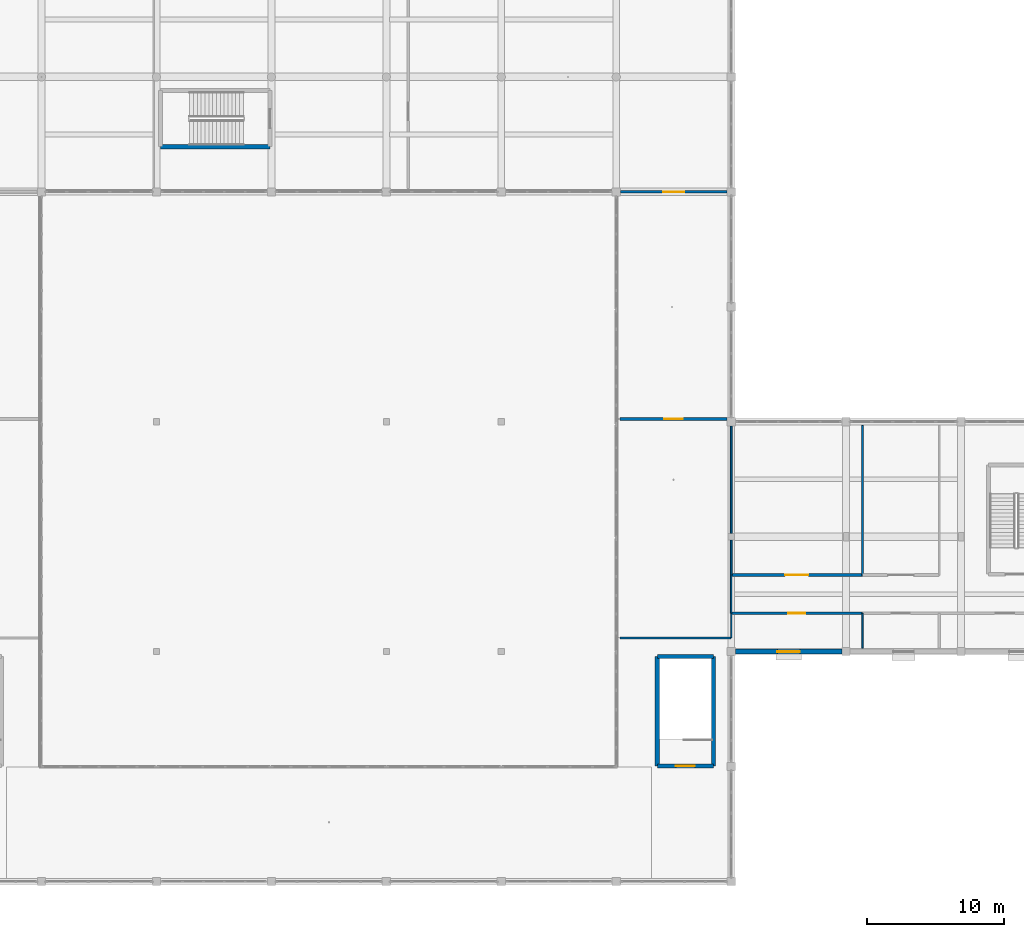
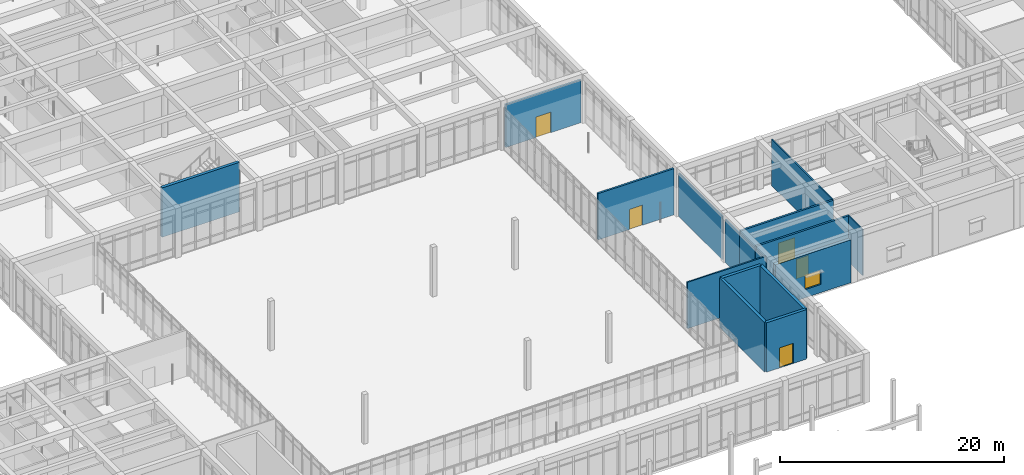
# One storey, part 78 of 157: 17 walls, 5 doors, 1 window, 6 openings.
"""IFC4 building model written with IfcOpenShell, lengths in metres."""

from ifc_helpers import new_model, si_unit, direction, frame, frame_2d, origin, place, context, subcontext, project, spatial, rectangle, extrude, material, layer, layer_set, type_object, element, fill, save


model = new_model("IFC4")

# Units and contexts
model_context = context("Model", 3, precision=1e-05, world=origin(), true_north=direction((0.0, 1.0)))
body_context = subcontext(model_context, "Body", "Model", "MODEL_VIEW")
ifc_project = project(units=[si_unit("LENGTHUNIT", "METRE"), si_unit("AREAUNIT", "SQUARE_METRE"), si_unit("VOLUMEUNIT", "CUBIC_METRE"), si_unit("PLANEANGLEUNIT", "RADIAN"), si_unit("MASSUNIT", "GRAM", prefix="KILO")], contexts=[model_context])

# Site, building, storey
site_placement = place(None, origin())
site = spatial("IfcSite", under=ifc_project, at=site_placement, CompositionType="ELEMENT")
building_placement = place(site_placement, origin())
building = spatial("IfcBuilding", under=site, at=building_placement, Name="Varncliffe General Hospital", CompositionType="ELEMENT")
storey_placement = place(building_placement, frame((0.0, 0.0, 5.39990234375)))
storey = spatial("IfcBuildingStorey", under=building, at=storey_placement, Name="L01", CompositionType="ELEMENT", Elevation=5.39990234375)

# Wall, opening, window
ifc_material_1 = material(Name="Precast concrete C40/50 with insulated cream lime-cement stucco", Category="concrete")
ifc_layer_1 = layer(ifc_material_1, 0.35009765625)
ifc_layer_set_1 = layer_set([ifc_layer_1], Name="Precast concrete C40/50 with insulated cream lime-cement stucco")
wall_type_1 = type_object("IfcWallType", Name="Exterior Insulated Stucco Wall EW37 (350mm)", PredefinedType="SOLIDWALL", material=ifc_layer_set_1)
wall_1_placement = place(storey_placement, frame((125.701904296875, 24.0, 0.0), z_axis=(0.0, 0.0, 1.0), x_axis=(-1.0, 0.0, 0.0)))
wall_1 = element("IfcWall", 1, at=wall_1_placement, inside=storey, type_object=wall_type_1, Name="L01 Exterior Stucco Wall EW37-162", PredefinedType="SOLIDWALL", context=body_context, shape_type="SweptSolid", body=[
    extrude(rectangle(XDim=7.803955078125, YDim=0.35009765625, at=frame_2d((3.90185546875, 0.0))), origin(), (0.0, 0.0, 1.0), 4.68017578125),
])
opening_1_placement = place(wall_1_placement, frame((3.076904296875, 0.0, 0.89990234375)))
opening_1 = element("IfcOpeningElement", 2, at=opening_1_placement, cuts=wall_1, Name="Opening WN20", PredefinedType="OPENING", context=body_context, shape_type="SweptSolid", body=[
    extrude(rectangle(XDim=1.64990234375, YDim=1.550048828125, at=frame_2d((0.824951171875, 0.77490234375))), frame((0.0, 0.18505859375, 0.0), z_axis=(0.0, -1.0, 0.0), x_axis=(1.0, 0.0, 0.0)), (0.0, 0.0, 1.0), 0.3701171875),
])
ifc_material_2 = material(Name="Triple low-E argon insulated vision glazing", Category="glass")
window_type = type_object("IfcWindowType", Name="Triple-Glazed Hospital Window WN20 (1650x1550)", PartitioningType="DOUBLE_PANEL_VERTICAL", PredefinedType="WINDOW", material=ifc_material_2)
window_placement = place(opening_1_placement, origin())
window = element("IfcWindow", 3, at=window_placement, inside=storey, type_object=window_type, Name="L01 Hospital Window WN20-101", OverallHeight=1.550048828125, OverallWidth=1.64990234375, PartitioningType="DOUBLE_PANEL_VERTICAL", PredefinedType="WINDOW", context=body_context, shape_type="SweptSolid", body=[
    extrude(rectangle(XDim=1.64990234375, YDim=1.550048828125, at=frame_2d((0.824951171875, 0.77490234375))), frame((0.0, 0.030029296875, 0.0), z_axis=(0.0, -1.0, 0.0), x_axis=(1.0, 0.0, 0.0)), (0.0, 0.0, 1.0), 0.06005859375),
])
fill(opening_1, window)

# Walls
ifc_material_3 = material(Name="Acoustic clinical gypsum stud partition assembly", Category="gypsum")
ifc_layer_2 = layer(ifc_material_3, 0.1298828125)
ifc_layer_set_2 = layer_set([ifc_layer_2], Name="Acoustic clinical gypsum stud partition assembly")
wall_type_2 = type_object("IfcWallType", Name="Interior Partitioning IW11 (130mm)", PredefinedType="PARTITIONING", material=ifc_layer_set_2)
wall_2_placement = place(storey_placement, frame((117.60009765625, 32.639892578125, 0.0), z_axis=(0.0, 0.0, 1.0), x_axis=(0.0, 1.0, 0.0)))
element("IfcWall", 4, at=wall_2_placement, inside=storey, type_object=wall_type_2, Name="L01 Interior Partition Wall IW11-803", PredefinedType="PARTITIONING", context=body_context, shape_type="SweptSolid", body=[
    extrude(rectangle(XDim=7.84521484375, YDim=0.1298828125, at=frame_2d((3.922607421875, 0.0))), origin(), (0.0, 0.0, 1.0), 4.735107421875),
])
wall_3_placement = place(storey_placement, frame((117.60009765625, 29.60009765625, 0.0), z_axis=(0.0, 0.0, 1.0), x_axis=(0.0, 1.0, 0.0)))
element("IfcWall", 5, at=wall_3_placement, inside=storey, type_object=wall_type_2, Name="L01 Interior Partition Wall IW11-804", PredefinedType="PARTITIONING", context=body_context, shape_type="SweptSolid", body=[
    extrude(rectangle(XDim=2.559814453125, YDim=0.1298828125, at=frame_2d((1.27978515625, 0.0))), origin(), (0.0, 0.0, 1.0), 4.735107421875),
])
wall_4_placement = place(storey_placement, frame((127.199951171875, 29.60009765625, 0.0), z_axis=(0.0, 0.0, 1.0), x_axis=(0.0, 1.0, 0.0)))
element("IfcWall", 6, at=wall_4_placement, inside=storey, type_object=wall_type_2, Name="L01 Interior Partition Wall IW11-813", PredefinedType="PARTITIONING", context=body_context, shape_type="SweptSolid", body=[
    extrude(rectangle(XDim=10.93994140625, YDim=0.1298828125, at=frame_2d((5.469970703125, 0.0))), origin(), (0.0, 0.0, 1.0), 5.050048828125),
])
ifc_layer_3 = layer(ifc_material_3, 0.14990234375)
ifc_layer_set_3 = layer_set([ifc_layer_3], Name="Acoustic clinical gypsum stud partition assembly")
wall_type_3 = type_object("IfcWallType", Name="Interior Partitioning IW35 (150mm)", PredefinedType="PARTITIONING", material=ifc_layer_set_3)
wall_5_placement = place(storey_placement, frame((109.4599609375, 25.0, 0.0), z_axis=(0.0, 0.0, 1.0), x_axis=(1.0, 0.0, 0.0)))
element("IfcWall", 7, at=wall_5_placement, inside=storey, type_object=wall_type_3, Name="L01 Interior Partition Wall IW35-434", PredefinedType="PARTITIONING", context=body_context, shape_type="SweptSolid", body=[
    extrude(rectangle(XDim=8.14013671875, YDim=0.14990234375, at=frame_2d((4.070068359375, 0.0))), origin(), (0.0, 0.0, 1.0), 5.050048828125),
])
ifc_layer_4 = layer(ifc_material_3, 0.090087890625)
ifc_layer_set_4 = layer_set([ifc_layer_4], Name="Acoustic clinical gypsum stud partition assembly")
wall_type_4 = type_object("IfcWallType", Name="Interior Partitioning IW42 (90mm)", PredefinedType="PARTITIONING", material=ifc_layer_set_4)
wall_6_placement = place(storey_placement, frame((117.60009765625, 25.0, 0.0), z_axis=(0.0, 0.0, 1.0), x_axis=(0.0, 1.0, 0.0)))
element("IfcWall", 8, at=wall_6_placement, inside=storey, type_object=wall_type_4, Name="L01 Interior Partition Wall IW42-801", PredefinedType="PARTITIONING", context=body_context, shape_type="SweptSolid", body=[
    extrude(rectangle(XDim=1.800048828125, YDim=0.090087890625, at=frame_2d((0.89990234375, 0.0))), origin(), (0.0, 0.0, 1.0), 4.735107421875),
])
ifc_layer_5 = layer(ifc_material_3, 0.110107421875)
ifc_layer_set_5 = layer_set([ifc_layer_5], Name="Acoustic clinical gypsum stud partition assembly")
wall_type_5 = type_object("IfcWallType", Name="Interior Partitioning IW65 (110mm)", PredefinedType="PARTITIONING", material=ifc_layer_set_5)
wall_7_placement = place(storey_placement, frame((117.60009765625, 26.800048828125, 0.0), z_axis=(0.0, 0.0, 1.0), x_axis=(0.0, 1.0, 0.0)))
element("IfcWall", 9, at=wall_7_placement, inside=storey, type_object=wall_type_5, Name="L01 Interior Partition Wall IW65-802", PredefinedType="PARTITIONING", context=body_context, shape_type="SweptSolid", body=[
    extrude(rectangle(XDim=2.800048828125, YDim=0.110107421875, at=frame_2d((1.39990234375, 0.0))), origin(), (0.0, 0.0, 1.0), 4.735107421875),
])
wall_8_placement = place(storey_placement, frame((127.199951171875, 24.260009765625, 0.0), z_axis=(0.0, 0.0, 1.0), x_axis=(0.0, 1.0, 0.0)))
element("IfcWall", 10, at=wall_8_placement, inside=storey, type_object=wall_type_5, Name="L01 Interior Partition Wall IW65-812", PredefinedType="PARTITIONING", context=body_context, shape_type="SweptSolid", body=[
    extrude(rectangle(XDim=2.5400390625, YDim=0.110107421875, at=frame_2d((1.27001953125, 0.0))), origin(), (0.0, 0.0, 1.0), 5.050048828125),
])

# Wall, opening, door
ifc_material_4 = material(Name="Fire-rated gypsum and mineral-wool partition assembly", Category="gypsum")
ifc_layer_6 = layer(ifc_material_4, 0.199951171875)
ifc_layer_set_6 = layer_set([ifc_layer_6], Name="Fire-rated gypsum and mineral-wool partition assembly")
wall_type_6 = type_object("IfcWallType", Name="Interior Partitioning PW63 (200mm)", PredefinedType="PARTITIONING", material=ifc_layer_set_6)
wall_9_placement = place(storey_placement, frame((117.60009765625, 26.800048828125, 0.0), z_axis=(0.0, 0.0, 1.0), x_axis=(1.0, 0.0, 0.0)))
wall_9 = element("IfcWall", 11, at=wall_9_placement, inside=storey, type_object=wall_type_6, Name="L01 Interior Partition Wall PW63-437", PredefinedType="PARTITIONING", context=body_context, shape_type="SweptSolid", body=[
    extrude(rectangle(XDim=9.599853515625, YDim=0.199951171875, at=frame_2d((4.7998046875, 0.0))), origin(), (0.0, 0.0, 1.0), 5.050048828125),
])
opening_2_placement = place(wall_9_placement, frame((4.175048828125, 0.0, 0.0)))
opening_2 = element("IfcOpeningElement", 12, at=opening_2_placement, cuts=wall_9, Name="Opening DC44", PredefinedType="OPENING", context=body_context, shape_type="SweptSolid", body=[
    extrude(rectangle(XDim=1.25, YDim=2.14990234375, at=frame_2d((0.625, 1.074951171875))), frame((0.0, 0.10986328125, 0.0), z_axis=(0.0, -1.0, 0.0), x_axis=(1.0, 0.0, 0.0)), (0.0, 0.0, 1.0), 0.219970703125),
])
ifc_material_5 = material(Name="Fire-rated hospital steel-frame vision-panel door", Category="steel")
door_type_1 = type_object("IfcDoorType", Name="Interior Hospital Door DC44 (1250x2150)", OperationType="NOTDEFINED", PredefinedType="DOOR", material=ifc_material_5)
door_1_placement = place(opening_2_placement, frame((1.25, 0.0, 0.0), z_axis=(0.0, 0.0, 1.0), x_axis=(-1.0, 0.0, 0.0)))
door_1 = element("IfcDoor", 13, at=door_1_placement, inside=storey, type_object=door_type_1, Name="L01 Hydrotherapy and Occupational Rehab Suite 126 Door", OperationType="SINGLE_SWING_LEFT", OverallHeight=2.14990234375, OverallWidth=1.25, PredefinedType="DOOR", context=body_context, shape_type="SweptSolid", body=[
    extrude(rectangle(XDim=1.25, YDim=2.14990234375, at=frame_2d((0.625, 1.074951171875))), frame((0.0, 0.02490234375, 0.0), z_axis=(0.0, -1.0, 0.0), x_axis=(1.0, 0.0, 0.0)), (0.0, 0.0, 1.0), 0.050048828125),
])
fill(opening_2, door_1)

wall_10_placement = place(storey_placement, frame((117.60009765625, 29.60009765625, 0.0), z_axis=(0.0, 0.0, 1.0), x_axis=(1.0, 0.0, 0.0)))
wall_10 = element("IfcWall", 14, at=wall_10_placement, inside=storey, type_object=wall_type_6, Name="L01 Interior Partition Wall PW63-452", PredefinedType="PARTITIONING", context=body_context, shape_type="SweptSolid", body=[
    extrude(rectangle(XDim=9.599853515625, YDim=0.199951171875, at=frame_2d((4.7998046875, 0.0))), origin(), (0.0, 0.0, 1.0), 5.050048828125),
])
opening_3_placement = place(wall_10_placement, frame((3.949951171875, 0.0, 0.0)))
opening_3 = element("IfcOpeningElement", 15, at=opening_3_placement, cuts=wall_10, Name="Opening DC50", PredefinedType="OPENING", context=body_context, shape_type="SweptSolid", body=[
    extrude(rectangle(XDim=1.699951171875, YDim=2.300048828125, at=frame_2d((0.85009765625, 1.14990234375))), frame((0.0, 0.10986328125, 0.0), z_axis=(0.0, -1.0, 0.0), x_axis=(1.0, 0.0, 0.0)), (0.0, 0.0, 1.0), 0.219970703125),
])
door_type_2 = type_object("IfcDoorType", Name="Interior Hospital Door DC50 (1700x2300)", OperationType="NOTDEFINED", PredefinedType="DOOR", material=ifc_material_5)
door_2_placement = place(opening_3_placement, origin())
door_2 = element("IfcDoor", 16, at=door_2_placement, inside=storey, type_object=door_type_2, Name="L01 Hydrotherapy and Occupational Rehab Suite 123 Door", OperationType="SINGLE_SWING_LEFT", OverallHeight=2.300048828125, OverallWidth=1.699951171875, PredefinedType="DOOR", context=body_context, shape_type="SweptSolid", body=[
    extrude(rectangle(XDim=1.699951171875, YDim=2.300048828125, at=frame_2d((0.85009765625, 1.14990234375))), frame((0.0, 0.02490234375, 0.0), z_axis=(0.0, -1.0, 0.0), x_axis=(1.0, 0.0, 0.0)), (0.0, 0.0, 1.0), 0.050048828125),
])
fill(opening_3, door_2)

wall_11_placement = place(storey_placement, frame((109.4599609375, 41.0, 0.0), z_axis=(0.0, 0.0, 1.0), x_axis=(1.0, 0.0, 0.0)))
wall_11 = element("IfcWall", 17, at=wall_11_placement, inside=storey, type_object=wall_type_6, Name="L01 Interior Partition Wall PW63-468", PredefinedType="PARTITIONING", context=body_context, shape_type="SweptSolid", body=[
    extrude(rectangle(XDim=7.824951171875, YDim=0.199951171875, at=frame_2d((3.91259765625, 0.0))), origin(), (0.0, 0.0, 1.0), 5.050048828125),
])
opening_4_placement = place(wall_11_placement, frame((3.237548828125, 0.0, 0.0)))
opening_4 = element("IfcOpeningElement", 18, at=opening_4_placement, cuts=wall_11, Name="Opening DC85", PredefinedType="OPENING", context=body_context, shape_type="SweptSolid", body=[
    extrude(rectangle(XDim=1.35009765625, YDim=2.199951171875, at=frame_2d((0.675048828125, 1.10009765625))), frame((0.0, 0.10986328125, 0.0), z_axis=(0.0, -1.0, 0.0), x_axis=(1.0, 0.0, 0.0)), (0.0, 0.0, 1.0), 0.219970703125),
])
door_type_3 = type_object("IfcDoorType", Name="Interior Hospital Door DC85 (1350x2200)", OperationType="NOTDEFINED", PredefinedType="DOOR", material=ifc_material_5)
door_3_placement = place(opening_4_placement, frame((1.35009765625, 0.0, 0.0), z_axis=(0.0, 0.0, 1.0), x_axis=(-1.0, 0.0, 0.0)))
door_3 = element("IfcDoor", 19, at=door_3_placement, inside=storey, type_object=door_type_3, Name="L01 Medical Health Sciences Library Door", OperationType="SINGLE_SWING_LEFT", OverallHeight=2.199951171875, OverallWidth=1.35009765625, PredefinedType="DOOR", context=body_context, shape_type="SweptSolid", body=[
    extrude(rectangle(XDim=1.35009765625, YDim=2.199951171875, at=frame_2d((0.675048828125, 1.10009765625))), frame((0.0, 0.02490234375, 0.0), z_axis=(0.0, -1.0, 0.0), x_axis=(1.0, 0.0, 0.0)), (0.0, 0.0, 1.0), 0.050048828125),
])
fill(opening_4, door_3)

wall_12_placement = place(storey_placement, frame((109.514892578125, 57.60009765625, 0.0), z_axis=(0.0, 0.0, 1.0), x_axis=(1.0, 0.0, 0.0)))
wall_12 = element("IfcWall", 20, at=wall_12_placement, inside=storey, type_object=wall_type_6, Name="L01 Interior Partition Wall PW63-475", PredefinedType="PARTITIONING", context=body_context, shape_type="SweptSolid", body=[
    extrude(rectangle(XDim=7.77001953125, YDim=0.199951171875, at=frame_2d((3.885009765625, 0.0))), origin(), (0.0, 0.0, 1.0), 4.68505859375),
])
opening_5_placement = place(wall_12_placement, frame((3.110107421875, 0.0, 0.0)))
opening_5 = element("IfcOpeningElement", 21, at=opening_5_placement, cuts=wall_12, Name="Opening DC67", PredefinedType="OPENING", context=body_context, shape_type="SweptSolid", body=[
    extrude(rectangle(XDim=1.550048828125, YDim=2.25, at=frame_2d((0.77490234375, 1.125))), frame((0.0, 0.10986328125, 0.0), z_axis=(0.0, -1.0, 0.0), x_axis=(1.0, 0.0, 0.0)), (0.0, 0.0, 1.0), 0.219970703125),
])
door_type_4 = type_object("IfcDoorType", Name="Interior Hospital Door DC67 (1550x2250)", OperationType="NOTDEFINED", PredefinedType="DOOR", material=ifc_material_5)
door_4_placement = place(opening_5_placement, frame((1.550048828125, 0.0, 0.0), z_axis=(0.0, 0.0, 1.0), x_axis=(-1.0, 0.0, 0.0)))
door_4 = element("IfcDoor", 22, at=door_4_placement, inside=storey, type_object=door_type_4, Name="L01 Patient Education and Family Resource Lounge Door", OperationType="SINGLE_SWING_LEFT", OverallHeight=2.25, OverallWidth=1.550048828125, PredefinedType="DOOR", context=body_context, shape_type="SweptSolid", body=[
    extrude(rectangle(XDim=1.550048828125, YDim=2.25, at=frame_2d((0.77490234375, 1.125))), frame((0.0, 0.02490234375, 0.0), z_axis=(0.0, -1.0, 0.0), x_axis=(1.0, 0.0, 0.0)), (0.0, 0.0, 1.0), 0.050048828125),
])
fill(opening_5, door_4)

# Walls
ifc_material_6 = material(Name="Concrete C40/50 (CSA A23.1 40 MPa)", Category="concrete")
ifc_layer_7 = layer(ifc_material_6, 0.300048828125)
ifc_layer_set_7 = layer_set([ifc_layer_7], Name="Concrete C40/50 (CSA A23.1 40 MPa)")
wall_type_7 = type_object("IfcWallType", Name="Reinforced Concrete Core Shear Wall CW12 (300mm)", PredefinedType="SHEAR", material=ifc_layer_set_7)
wall_13_placement = place(storey_placement, frame((116.300048828125, 15.64990234375, 0.0), z_axis=(0.0, 0.0, 1.0), x_axis=(0.0, 1.0, 0.0)))
element("IfcWall", 23, at=wall_13_placement, inside=storey, type_object=wall_type_7, Name="L01 ST10 Core Shear Wall L", PredefinedType="SHEAR", context=body_context, shape_type="SweptSolid", body=[
    extrude(rectangle(XDim=8.0, YDim=0.300048828125, at=frame_2d((4.0, 0.0))), origin(), (0.0, 0.0, 1.0), 5.400146484375),
])
wall_14_placement = place(storey_placement, frame((116.300048828125, 23.64990234375, 0.0), z_axis=(0.0, 0.0, 1.0), x_axis=(-1.0, 0.0, 0.0)))
element("IfcWall", 24, at=wall_14_placement, inside=storey, type_object=wall_type_7, Name="L01 ST10 Core Shear Wall F", PredefinedType="SHEAR", context=body_context, shape_type="SweptSolid", body=[
    extrude(rectangle(XDim=4.10009765625, YDim=0.300048828125, at=frame_2d((2.050048828125, 0.0))), origin(), (0.0, 0.0, 1.0), 5.400146484375),
])
wall_15_placement = place(storey_placement, frame((112.199951171875, 23.64990234375, 0.0), z_axis=(0.0, 0.0, 1.0), x_axis=(0.0, -1.0, 0.0)))
element("IfcWall", 25, at=wall_15_placement, inside=storey, type_object=wall_type_7, Name="L01 ST10 Core Shear Wall R", PredefinedType="SHEAR", context=body_context, shape_type="SweptSolid", body=[
    extrude(rectangle(XDim=8.0, YDim=0.300048828125, at=frame_2d((4.0, 0.0))), origin(), (0.0, 0.0, 1.0), 5.400146484375),
])

# Wall, opening, door
wall_16_placement = place(storey_placement, frame((112.199951171875, 15.64990234375, 0.0), z_axis=(0.0, 0.0, 1.0), x_axis=(1.0, 0.0, 0.0)))
wall_16 = element("IfcWall", 26, at=wall_16_placement, inside=storey, type_object=wall_type_7, Name="L01 ST10 Core Shear Wall N", PredefinedType="SHEAR", context=body_context, shape_type="SweptSolid", body=[
    extrude(rectangle(XDim=4.10009765625, YDim=0.300048828125, at=frame_2d((2.050048828125, 0.0))), origin(), (0.0, 0.0, 1.0), 5.400146484375),
])
opening_6_placement = place(wall_16_placement, frame((1.35009765625, 0.0, 0.0)))
opening_6 = element("IfcOpeningElement", 27, at=opening_6_placement, cuts=wall_16, Name="Opening DF81", PredefinedType="OPENING", context=body_context, shape_type="SweptSolid", body=[
    extrude(rectangle(XDim=1.39990234375, YDim=2.199951171875, at=frame_2d((0.699951171875, 1.10009765625))), frame((0.0, 0.16015625, 0.0), z_axis=(0.0, -1.0, 0.0), x_axis=(1.0, 0.0, 0.0)), (0.0, 0.0, 1.0), 0.320068359375),
])
door_type_5 = type_object("IfcDoorType", Name="Interior Hospital Door DF81 (1400x2200)", OperationType="NOTDEFINED", PredefinedType="DOOR", material=ifc_material_5)
door_5_placement = place(opening_6_placement, frame((1.39990234375, 0.0, 0.0), z_axis=(0.0, 0.0, 1.0), x_axis=(-1.0, 0.0, 0.0)))
door_5 = element("IfcDoor", 28, at=door_5_placement, inside=storey, type_object=door_type_5, Name="L01 ST10 Protected Exit Stair Door", OperationType="SINGLE_SWING_RIGHT", OverallHeight=2.199951171875, OverallWidth=1.39990234375, PredefinedType="DOOR", context=body_context, shape_type="SweptSolid", body=[
    extrude(rectangle(XDim=1.39990234375, YDim=2.199951171875, at=frame_2d((0.699951171875, 1.10009765625))), frame((0.0, 0.02490234375, 0.0), z_axis=(0.0, -1.0, 0.0), x_axis=(1.0, 0.0, 0.0)), (0.0, 0.0, 1.0), 0.050048828125),
])
fill(opening_6, door_5)

# Wall
wall_17_placement = place(storey_placement, frame((75.89990234375, 60.89990234375, 0.0), z_axis=(0.0, 0.0, 1.0), x_axis=(1.0, 0.0, 0.0)))
element("IfcWall", 29, at=wall_17_placement, inside=storey, type_object=wall_type_7, Name="L01 ST16 Core Shear Wall R", PredefinedType="SHEAR", context=body_context, shape_type="SweptSolid", body=[
    extrude(rectangle(XDim=8.0, YDim=0.300048828125, at=frame_2d((4.0, 0.0))), origin(), (0.0, 0.0, 1.0), 5.400146484375),
])

save(model, "model.ifc")
